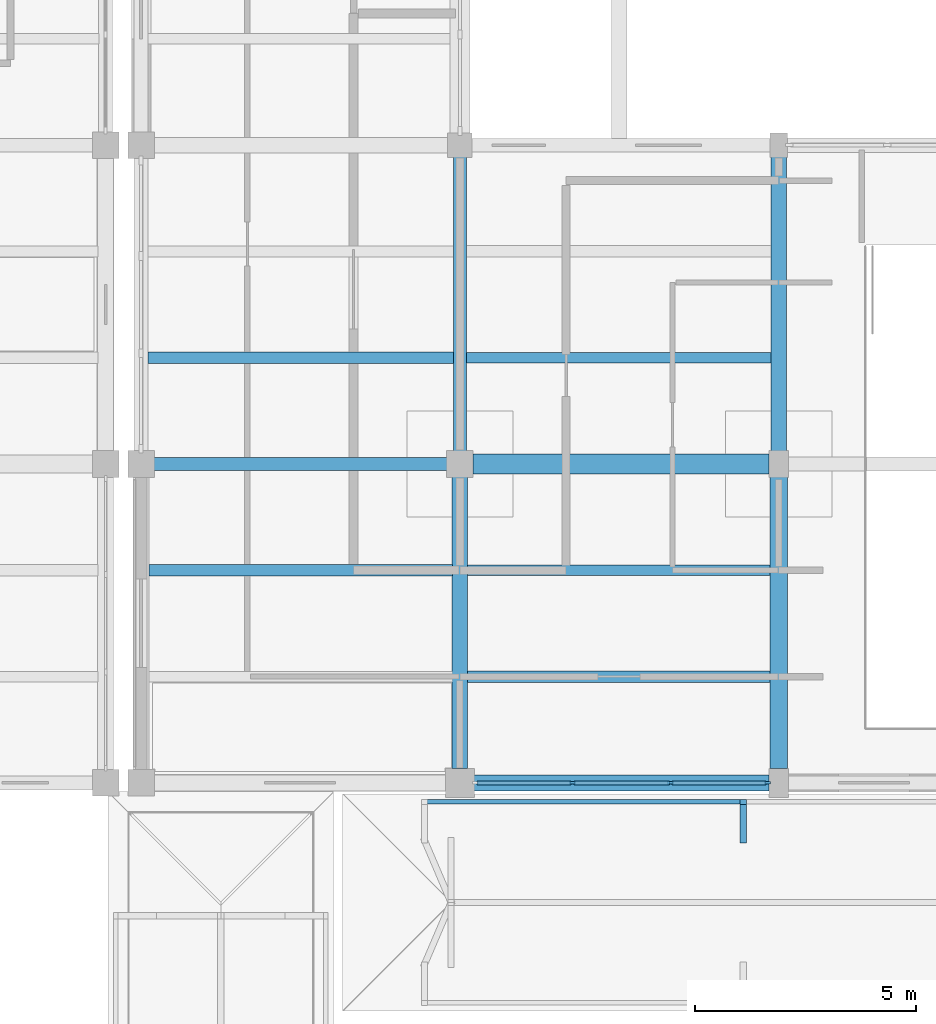
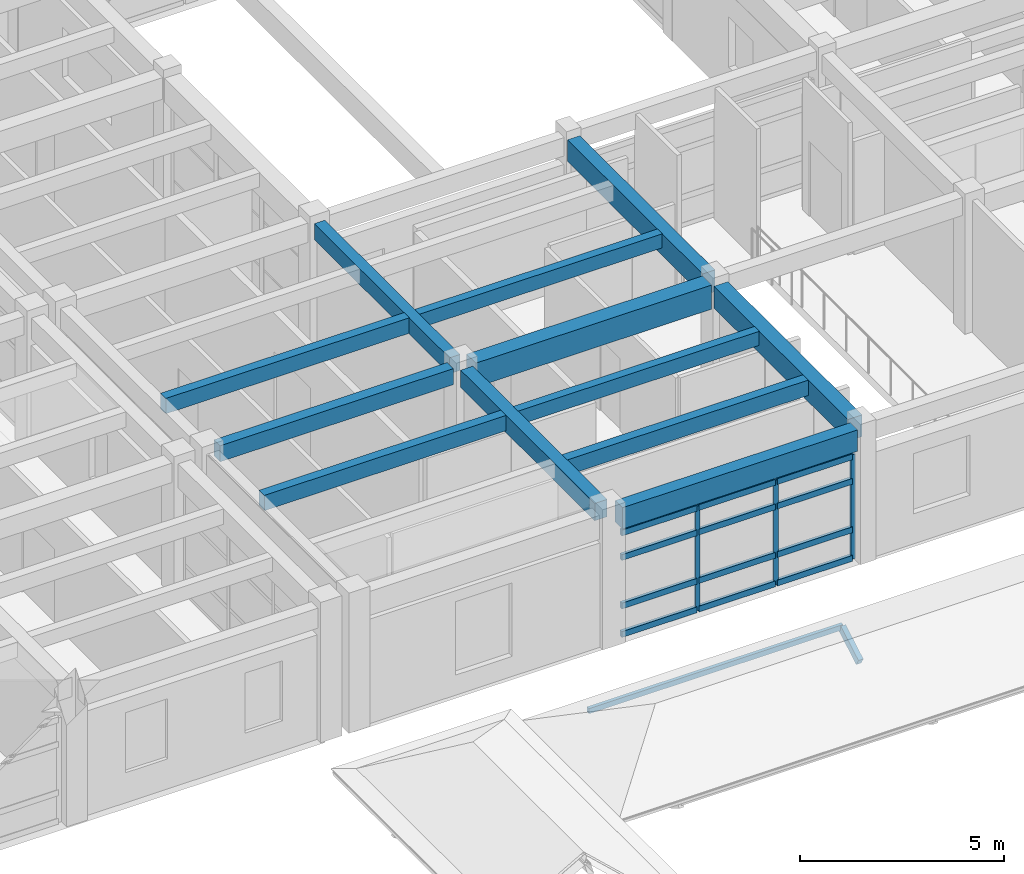
# One storey, part 13 of 110: 17 members, 12 beams, 1 element without a shape of its own.
"""IFC4 building model written with IfcOpenShell, lengths in metres."""

from ifc_helpers import new_model, si_unit, direction, frame, origin, origin_2d, place, context, subcontext, project, spatial, rectangle, hollow_rectangle, extrude, material, material_profile, profile_set, type_object, element, aggregate, save


model = new_model("IFC4")

# Units and contexts
model_context = context("Model", 3, precision=1e-05, world=origin(), true_north=direction((0.0, 1.0)))
body_context = subcontext(model_context, "Body", "Model", "MODEL_VIEW")
ifc_project = project(units=[si_unit("LENGTHUNIT", "METRE"), si_unit("AREAUNIT", "SQUARE_METRE"), si_unit("VOLUMEUNIT", "CUBIC_METRE"), si_unit("PLANEANGLEUNIT", "RADIAN"), si_unit("MASSUNIT", "GRAM", prefix="KILO")], contexts=[model_context])

# Site, building, storey
site_placement = place(None, origin())
site = spatial("IfcSite", under=ifc_project, at=site_placement, CompositionType="ELEMENT")
building_placement = place(site_placement, origin())
building = spatial("IfcBuilding", under=site, at=building_placement, Name="Steenspoor Specialist Clinic", CompositionType="ELEMENT")
storey_placement = place(building_placement, frame((0.0, 0.0, 4.800048828125)))
storey = spatial("IfcBuildingStorey", under=building, at=storey_placement, Name="L01", CompositionType="ELEMENT", Elevation=4.800048828125)

# Beams
ifc_material_1 = material(Name="Concrete C35/45", Category="concrete")
ifc_material_profile_1 = material_profile(ifc_material_1, rectangle(XDim=0.300048828125, YDim=0.47998046875, at=origin_2d()), Name="RC-BM-300X480")
ifc_profile_set_1 = profile_set([ifc_material_profile_1], Name="Concrete C35/45")
beam_type_1 = type_object("IfcBeamType", Name="BM-RC-300X480", PredefinedType="BEAM", material=ifc_profile_set_1)
beam_1_placement = place(storey_placement, frame((52.695068359375, 72.35009765625, 3.7099609375), z_axis=(1.0, 0.0, 0.0), x_axis=(0.0, 1.0, 0.0)))
element("IfcBeam", 1, at=beam_1_placement, inside=storey, type_object=beam_type_1, Name="BM-V4-L01-X0479", PredefinedType="BEAM", context=body_context, shape_type="SweptSolid", body=[
    extrude(rectangle(XDim=0.300048828125, YDim=0.47998046875, at=origin_2d()), origin(), (0.0, 0.0, 1.0), 6.60986328125),
])
beam_2_placement = place(storey_placement, frame((59.60009765625, 72.64501953125, 3.7099609375), z_axis=(0.0, 1.0, 0.0), x_axis=(-1.0, 0.0, 0.0)))
element("IfcBeam", 2, at=beam_2_placement, inside=storey, type_object=beam_type_1, Name="BM-V4-L01-Y0528", PredefinedType="BEAM", context=body_context, shape_type="SweptSolid", body=[
    extrude(rectangle(XDim=0.300048828125, YDim=0.47998046875, at=origin_2d()), origin(), (0.0, 0.0, 1.0), 6.635009765625),
])
ifc_material_profile_2 = material_profile(ifc_material_1, rectangle(XDim=0.35009765625, YDim=0.52001953125, at=origin_2d()), Name="RC-BM-350X520")
ifc_profile_set_2 = profile_set([ifc_material_profile_2], Name="Concrete C35/45")
beam_type_2 = type_object("IfcBeamType", Name="BM-RC-350X520", PredefinedType="BEAM", material=ifc_profile_set_2)
beam_3_placement = place(storey_placement, frame((59.60009765625, 65.469970703125, 3.68994140625), z_axis=(0.0, 1.0, 0.0), x_axis=(-1.0, 0.0, 0.0)))
element("IfcBeam", 3, at=beam_3_placement, inside=storey, type_object=beam_type_2, Name="BM-V4-L01-Y0527", PredefinedType="BEAM", context=body_context, shape_type="SweptSolid", body=[
    extrude(rectangle(XDim=0.35009765625, YDim=0.52001953125, at=origin_2d()), origin(), (0.0, 0.0, 1.0), 6.5849609375),
])
ifc_material_profile_3 = material_profile(ifc_material_1, rectangle(XDim=0.35009765625, YDim=0.64990234375, at=origin_2d()), Name="RC-BM-350X650")
ifc_profile_set_3 = profile_set([ifc_material_profile_3], Name="Concrete C35/45")
beam_type_3 = type_object("IfcBeamType", Name="BM-RC-350X650", PredefinedType="BEAM", material=ifc_profile_set_3)
beam_4_placement = place(storey_placement, frame((66.800048828125, 72.64501953125, 3.625), z_axis=(0.0, 1.0, 0.0), x_axis=(-1.0, 0.0, 0.0)))
element("IfcBeam", 4, at=beam_4_placement, inside=storey, type_object=beam_type_3, Name="BM-V4-L01-Y0534", PredefinedType="BEAM", context=body_context, shape_type="SweptSolid", body=[
    extrude(rectangle(XDim=0.35009765625, YDim=0.64990234375, at=origin_2d()), origin(), (0.0, 0.0, 1.0), 6.635009765625),
])
ifc_material_profile_4 = material_profile(ifc_material_1, rectangle(XDim=0.39990234375, YDim=0.64990234375, at=origin_2d()), Name="RC-BM-400X650")
ifc_profile_set_4 = profile_set([ifc_material_profile_4], Name="Concrete C35/45")
beam_type_4 = type_object("IfcBeamType", Name="BM-RC-400X650", PredefinedType="BEAM", material=ifc_profile_set_4)
beam_5_placement = place(storey_placement, frame((66.800048828125, 65.469970703125, 3.625), z_axis=(0.0, 1.0, 0.0), x_axis=(-1.0, 0.0, 0.0)))
element("IfcBeam", 5, at=beam_5_placement, inside=storey, type_object=beam_type_4, Name="BM-V4-L01-Y0533", PredefinedType="BEAM", context=body_context, shape_type="SweptSolid", body=[
    extrude(rectangle(XDim=0.39990234375, YDim=0.64990234375, at=origin_2d()), origin(), (0.0, 0.0, 1.0), 6.5849609375),
])
ifc_material_profile_5 = material_profile(ifc_material_1, rectangle(XDim=0.449951171875, YDim=0.719970703125, at=origin_2d()), Name="RC-BM-450X720")
ifc_profile_set_5 = profile_set([ifc_material_profile_5], Name="Concrete C35/45")
beam_type_5 = type_object("IfcBeamType", Name="BM-RC-450X720", PredefinedType="BEAM", material=ifc_profile_set_5)
beam_6_placement = place(storey_placement, frame((59.89501953125, 72.35009765625, 3.58984375), z_axis=(1.0, 0.0, 0.0), x_axis=(0.0, 1.0, 0.0)))
element("IfcBeam", 6, at=beam_6_placement, inside=storey, type_object=beam_type_5, Name="BM-V4-L01-X0480", PredefinedType="BEAM", context=body_context, shape_type="SweptSolid", body=[
    extrude(rectangle(XDim=0.449951171875, YDim=0.719970703125, at=origin_2d()), origin(), (0.0, 0.0, 1.0), 6.68505859375),
])

# Curtain wall, members
ifc_material_2 = material(Name="Thermally broken aluminium and low-emissivity glass", Category="aluminium")
curtain_wall_type = type_object("IfcCurtainWallType", Name="CW-TYP-240X355", PredefinedType="USERDEFINED", material=ifc_material_2)
curtain_wall_placement = place(storey_placement, origin())
curtain_wall = element("IfcCurtainWall", 7, at=curtain_wall_placement, inside=storey, type_object=curtain_wall_type, Name="Unitised Curtain Wall CW-V4-L01-064", ObjectType="UNITISED GLAZING", PredefinedType="USERDEFINED")
ifc_material_3 = material(Name="Thermally broken aluminium 6063-T6", Category="aluminium")
ifc_material_profile_6 = material_profile(ifc_material_3, rectangle(XDim=0.06005859375, YDim=0.135009765625, at=origin_2d()), Name="CWM-60X135")
ifc_profile_set_6 = profile_set([ifc_material_profile_6], Name="Thermally broken aluminium 6063-T6")
member_type_1 = type_object("IfcMemberType", Name="CW-MULL-60X135", PredefinedType="MULLION", material=ifc_profile_set_6)
member_1_placement = place(storey_placement, frame((66.544921875, 65.14990234375, 0.0), z_axis=(0.0, 0.0, 1.0), x_axis=(0.0, -1.0, 0.0)))
member_1 = element("IfcMember", 8, at=member_1_placement, type_object=member_type_1, Name="CW-16 mullion 1", PredefinedType="MULLION", context=body_context, shape_type="SweptSolid", body=[
    extrude(rectangle(XDim=0.06005859375, YDim=0.135009765625, at=origin_2d()), origin(), (0.0, 0.0, 1.0), 3.1298828125),
])
member_2_placement = place(storey_placement, frame((64.3583984375, 65.14990234375, 0.0), z_axis=(0.0, 0.0, 1.0), x_axis=(0.0, -1.0, 0.0)))
member_2 = element("IfcMember", 9, at=member_2_placement, type_object=member_type_1, Name="CW-16 mullion 2", PredefinedType="MULLION", context=body_context, shape_type="SweptSolid", body=[
    extrude(rectangle(XDim=0.06005859375, YDim=0.135009765625, at=origin_2d()), origin(), (0.0, 0.0, 1.0), 3.1298828125),
])
member_3_placement = place(storey_placement, frame((62.1416015625, 65.14990234375, 0.0), z_axis=(0.0, 0.0, 1.0), x_axis=(0.0, -1.0, 0.0)))
member_3 = element("IfcMember", 10, at=member_3_placement, type_object=member_type_1, Name="CW-16 mullion 3", PredefinedType="MULLION", context=body_context, shape_type="SweptSolid", body=[
    extrude(rectangle(XDim=0.06005859375, YDim=0.135009765625, at=origin_2d()), origin(), (0.0, 0.0, 1.0), 3.1298828125),
])
ifc_material_profile_7 = material_profile(ifc_material_3, rectangle(XDim=0.090087890625, YDim=0.175048828125, at=origin_2d()), Name="CWT-90X175")
ifc_profile_set_7 = profile_set([ifc_material_profile_7], Name="Thermally broken aluminium 6063-T6")
member_type_2 = type_object("IfcMemberType", Name="CW-TRAN-90X175", PredefinedType="USERDEFINED", material=ifc_profile_set_7)
member_4_placement = place(storey_placement, frame((66.514892578125, 65.14990234375, 0.044921875), z_axis=(-1.0, 0.0, 0.0), x_axis=(0.0, -1.0, 0.0)))
member_4 = element("IfcMember", 11, at=member_4_placement, type_object=member_type_2, Name="CW-16 transom 1.1", ObjectType="TRANSOM", PredefinedType="USERDEFINED", context=body_context, shape_type="SweptSolid", body=[
    extrude(rectangle(XDim=0.090087890625, YDim=0.175048828125, at=origin_2d()), origin(), (0.0, 0.0, 1.0), 2.12646484375),
])
member_5_placement = place(storey_placement, frame((66.514892578125, 65.14990234375, 0.89990234375), z_axis=(-1.0, 0.0, 0.0), x_axis=(0.0, -1.0, 0.0)))
member_5 = element("IfcMember", 12, at=member_5_placement, type_object=member_type_2, Name="CW-16 transom 1.2", ObjectType="TRANSOM", PredefinedType="USERDEFINED", context=body_context, shape_type="SweptSolid", body=[
    extrude(rectangle(XDim=0.090087890625, YDim=0.175048828125, at=origin_2d()), origin(), (0.0, 0.0, 1.0), 2.12646484375),
])
member_6_placement = place(storey_placement, frame((66.514892578125, 65.14990234375, 2.349853515625), z_axis=(-1.0, 0.0, 0.0), x_axis=(0.0, -1.0, 0.0)))
member_6 = element("IfcMember", 13, at=member_6_placement, type_object=member_type_2, Name="CW-16 transom 1.3", ObjectType="TRANSOM", PredefinedType="USERDEFINED", context=body_context, shape_type="SweptSolid", body=[
    extrude(rectangle(XDim=0.090087890625, YDim=0.175048828125, at=origin_2d()), origin(), (0.0, 0.0, 1.0), 2.12646484375),
])
member_7_placement = place(storey_placement, frame((66.514892578125, 65.14990234375, 3.0849609375), z_axis=(-1.0, 0.0, 0.0), x_axis=(0.0, -1.0, 0.0)))
member_7 = element("IfcMember", 14, at=member_7_placement, type_object=member_type_2, Name="CW-16 transom 1.4", ObjectType="TRANSOM", PredefinedType="USERDEFINED", context=body_context, shape_type="SweptSolid", body=[
    extrude(rectangle(XDim=0.090087890625, YDim=0.175048828125, at=origin_2d()), origin(), (0.0, 0.0, 1.0), 2.12646484375),
])
member_8_placement = place(storey_placement, frame((64.328369140625, 65.14990234375, 0.044921875), z_axis=(-1.0, 0.0, 0.0), x_axis=(0.0, -1.0, 0.0)))
member_8 = element("IfcMember", 15, at=member_8_placement, type_object=member_type_2, Name="CW-16 transom 2.1", ObjectType="TRANSOM", PredefinedType="USERDEFINED", context=body_context, shape_type="SweptSolid", body=[
    extrude(rectangle(XDim=0.090087890625, YDim=0.175048828125, at=origin_2d()), origin(), (0.0, 0.0, 1.0), 2.15673828125),
])
member_9_placement = place(storey_placement, frame((64.328369140625, 65.14990234375, 0.89990234375), z_axis=(-1.0, 0.0, 0.0), x_axis=(0.0, -1.0, 0.0)))
member_9 = element("IfcMember", 16, at=member_9_placement, type_object=member_type_2, Name="CW-16 transom 2.2", ObjectType="TRANSOM", PredefinedType="USERDEFINED", context=body_context, shape_type="SweptSolid", body=[
    extrude(rectangle(XDim=0.090087890625, YDim=0.175048828125, at=origin_2d()), origin(), (0.0, 0.0, 1.0), 2.15673828125),
])
member_10_placement = place(storey_placement, frame((64.328369140625, 65.14990234375, 2.349853515625), z_axis=(-1.0, 0.0, 0.0), x_axis=(0.0, -1.0, 0.0)))
member_10 = element("IfcMember", 17, at=member_10_placement, type_object=member_type_2, Name="CW-16 transom 2.3", ObjectType="TRANSOM", PredefinedType="USERDEFINED", context=body_context, shape_type="SweptSolid", body=[
    extrude(rectangle(XDim=0.090087890625, YDim=0.175048828125, at=origin_2d()), origin(), (0.0, 0.0, 1.0), 2.15673828125),
])
member_11_placement = place(storey_placement, frame((64.328369140625, 65.14990234375, 3.0849609375), z_axis=(-1.0, 0.0, 0.0), x_axis=(0.0, -1.0, 0.0)))
member_11 = element("IfcMember", 18, at=member_11_placement, type_object=member_type_2, Name="CW-16 transom 2.4", ObjectType="TRANSOM", PredefinedType="USERDEFINED", context=body_context, shape_type="SweptSolid", body=[
    extrude(rectangle(XDim=0.090087890625, YDim=0.175048828125, at=origin_2d()), origin(), (0.0, 0.0, 1.0), 2.15673828125),
])
member_12_placement = place(storey_placement, frame((62.111572265625, 65.14990234375, 0.044921875), z_axis=(-1.0, 0.0, 0.0), x_axis=(0.0, -1.0, 0.0)))
member_12 = element("IfcMember", 19, at=member_12_placement, type_object=member_type_2, Name="CW-16 transom 3.1", ObjectType="TRANSOM", PredefinedType="USERDEFINED", context=body_context, shape_type="SweptSolid", body=[
    extrude(rectangle(XDim=0.090087890625, YDim=0.175048828125, at=origin_2d()), origin(), (0.0, 0.0, 1.0), 2.12646484375),
])
member_13_placement = place(storey_placement, frame((62.111572265625, 65.14990234375, 0.89990234375), z_axis=(-1.0, 0.0, 0.0), x_axis=(0.0, -1.0, 0.0)))
member_13 = element("IfcMember", 20, at=member_13_placement, type_object=member_type_2, Name="CW-16 transom 3.2", ObjectType="TRANSOM", PredefinedType="USERDEFINED", context=body_context, shape_type="SweptSolid", body=[
    extrude(rectangle(XDim=0.090087890625, YDim=0.175048828125, at=origin_2d()), origin(), (0.0, 0.0, 1.0), 2.12646484375),
])
member_14_placement = place(storey_placement, frame((62.111572265625, 65.14990234375, 2.349853515625), z_axis=(-1.0, 0.0, 0.0), x_axis=(0.0, -1.0, 0.0)))
member_14 = element("IfcMember", 21, at=member_14_placement, type_object=member_type_2, Name="CW-16 transom 3.3", ObjectType="TRANSOM", PredefinedType="USERDEFINED", context=body_context, shape_type="SweptSolid", body=[
    extrude(rectangle(XDim=0.090087890625, YDim=0.175048828125, at=origin_2d()), origin(), (0.0, 0.0, 1.0), 2.12646484375),
])
member_15_placement = place(storey_placement, frame((62.111572265625, 65.14990234375, 3.0849609375), z_axis=(-1.0, 0.0, 0.0), x_axis=(0.0, -1.0, 0.0)))
member_15 = element("IfcMember", 22, at=member_15_placement, type_object=member_type_2, Name="CW-16 transom 3.4", ObjectType="TRANSOM", PredefinedType="USERDEFINED", context=body_context, shape_type="SweptSolid", body=[
    extrude(rectangle(XDim=0.090087890625, YDim=0.175048828125, at=origin_2d()), origin(), (0.0, 0.0, 1.0), 2.12646484375),
])
aggregate(curtain_wall, [member_1, member_2, member_3, member_4, member_5, member_6, member_7, member_8, member_9, member_10, member_11, member_12, member_13, member_14, member_15])

# Beams
ifc_material_profile_8 = material_profile(ifc_material_1, rectangle(XDim=0.239990234375, YDim=0.419921875, at=origin_2d()), Name="RC-JT-240X420")
ifc_profile_set_8 = profile_set([ifc_material_profile_8], Name="Concrete C35/45")
beam_type_6 = type_object("IfcBeamType", Name="JT-RC-240X420", PredefinedType="JOIST", material=ifc_profile_set_8)
beam_7_placement = place(storey_placement, frame((59.77001953125, 69.949951171875, 3.739990234375), z_axis=(1.0, 0.0, 0.0), x_axis=(0.0, 1.0, 0.0)))
element("IfcBeam", 23, at=beam_7_placement, inside=storey, type_object=beam_type_6, Name="JT-V4-L01-0586", PredefinedType="JOIST", context=body_context, shape_type="SweptSolid", body=[
    extrude(rectangle(XDim=0.239990234375, YDim=0.419921875, at=origin_2d()), origin(), (0.0, 0.0, 1.0), 6.8349609375),
])
beam_8_placement = place(storey_placement, frame((59.7451171875, 74.75, 3.739990234375), z_axis=(1.0, 0.0, 0.0), x_axis=(0.0, 1.0, 0.0)))
element("IfcBeam", 24, at=beam_8_placement, inside=storey, type_object=beam_type_6, Name="JT-V4-L01-0587", PredefinedType="JOIST", context=body_context, shape_type="SweptSolid", body=[
    extrude(rectangle(XDim=0.239990234375, YDim=0.419921875, at=origin_2d()), origin(), (0.0, 0.0, 1.0), 6.884765625),
])
ifc_material_profile_9 = material_profile(ifc_material_1, rectangle(XDim=0.260009765625, YDim=0.4599609375, at=origin_2d()), Name="RC-JT-260X460")
ifc_profile_set_9 = profile_set([ifc_material_profile_9], Name="Concrete C35/45")
beam_type_7 = type_object("IfcBeamType", Name="JT-RC-260X460", PredefinedType="JOIST", material=ifc_profile_set_9)
beam_9_placement = place(storey_placement, frame((52.574951171875, 69.949951171875, 3.719970703125), z_axis=(1.0, 0.0, 0.0), x_axis=(0.0, 1.0, 0.0)))
element("IfcBeam", 25, at=beam_9_placement, inside=storey, type_object=beam_type_7, Name="JT-V4-L01-0574", PredefinedType="JOIST", context=body_context, shape_type="SweptSolid", body=[
    extrude(rectangle(XDim=0.260009765625, YDim=0.4599609375, at=origin_2d()), origin(), (0.0, 0.0, 1.0), 6.85498046875),
])
beam_10_placement = place(storey_placement, frame((52.554931640625, 74.75, 3.719970703125), z_axis=(1.0, 0.0, 0.0), x_axis=(0.0, 1.0, 0.0)))
element("IfcBeam", 26, at=beam_10_placement, inside=storey, type_object=beam_type_7, Name="JT-V4-L01-0575", PredefinedType="JOIST", context=body_context, shape_type="SweptSolid", body=[
    extrude(rectangle(XDim=0.260009765625, YDim=0.4599609375, at=origin_2d()), origin(), (0.0, 0.0, 1.0), 6.900146484375),
])
beam_11_placement = place(storey_placement, frame((59.77001953125, 67.550048828125, 3.719970703125), z_axis=(1.0, 0.0, 0.0), x_axis=(0.0, 1.0, 0.0)))
element("IfcBeam", 27, at=beam_11_placement, inside=storey, type_object=beam_type_7, Name="JT-V4-L01-0585", PredefinedType="JOIST", context=body_context, shape_type="SweptSolid", body=[
    extrude(rectangle(XDim=0.260009765625, YDim=0.4599609375, at=origin_2d()), origin(), (0.0, 0.0, 1.0), 6.8349609375),
])

# Members
ifc_material_4 = material(Name="Steel A500 Grade C", Category="steel")
ifc_material_profile_10 = material_profile(ifc_material_4, hollow_rectangle(XDim=0.1015625, YDim=0.15234375, WallThickness=0.005859375, at=origin_2d()), Name="HSS152X102X6.4")
ifc_profile_set_10 = profile_set([ifc_material_profile_10], Name="Steel A500 Grade C")
member_type_3 = type_object("IfcMemberType", Name="MEM-PURLIN-H152", PredefinedType="PURLIN", material=ifc_profile_set_10)
member_16_placement = place(storey_placement, frame((58.800048828125, 64.719970703125, -1.571533203125), z_axis=(1.0, 0.0, 0.0), x_axis=(0.0, 1.0, 0.0)))
element("IfcMember", 28, at=member_16_placement, inside=storey, type_object=member_type_3, Name="Walkway Fascia WK4 591", PredefinedType="PURLIN", context=body_context, shape_type="SweptSolid", body=[
    extrude(hollow_rectangle(XDim=0.1015625, YDim=0.15234375, WallThickness=0.005859375, at=origin_2d()), origin(), (0.0, 0.0, 1.0), 7.199951171875),
])
ifc_material_5 = material(Name="Glulam GL28h", Category="wood")
ifc_material_profile_11 = material_profile(ifc_material_5, rectangle(XDim=0.139892578125, YDim=0.219970703125, at=origin_2d()), Name="GL28H-140X220")
ifc_profile_set_11 = profile_set([ifc_material_profile_11], Name="Glulam GL28h")
member_type_4 = type_object("IfcMemberType", Name="MEM-RAFTER-GL220", PredefinedType="RAFTER", material=ifc_profile_set_11)
member_17_placement = place(storey_placement, frame((66.0, 63.85009765625, -2.114990234375), z_axis=(0.0, 0.865930570761, 0.500164219654), x_axis=(-1.0, 0.0, 0.0)))
element("IfcMember", 29, at=member_17_placement, inside=storey, type_object=member_type_4, Name="Walkway Eave Outrigger WK4 412", PredefinedType="RAFTER", context=body_context, shape_type="SweptSolid", body=[
    extrude(rectangle(XDim=0.139892578125, YDim=0.219970703125, at=origin_2d()), origin(), (0.0, 0.0, 1.0), 1.004638671875),
])

# Beam
ifc_material_profile_12 = material_profile(ifc_material_1, rectangle(XDim=0.360107421875, YDim=0.639892578125, at=origin_2d()), Name="RC-SP-360X640")
ifc_profile_set_12 = profile_set([ifc_material_profile_12], Name="Concrete C35/45")
beam_type_8 = type_object("IfcBeamType", Name="SP-RC-360X640", PredefinedType="SPANDREL", material=ifc_profile_set_12)
beam_12_placement = place(storey_placement, frame((59.919921875, 65.14990234375, 3.6298828125), z_axis=(1.0, 0.0, 0.0), x_axis=(0.0, 1.0, 0.0)))
element("IfcBeam", 30, at=beam_12_placement, inside=storey, type_object=beam_type_8, Name="BM-V4-L01-X0476", PredefinedType="SPANDREL", context=body_context, shape_type="SweptSolid", body=[
    extrude(rectangle(XDim=0.360107421875, YDim=0.639892578125, at=origin_2d()), origin(), (0.0, 0.0, 1.0), 6.66015625),
])

save(model, "model.ifc")
